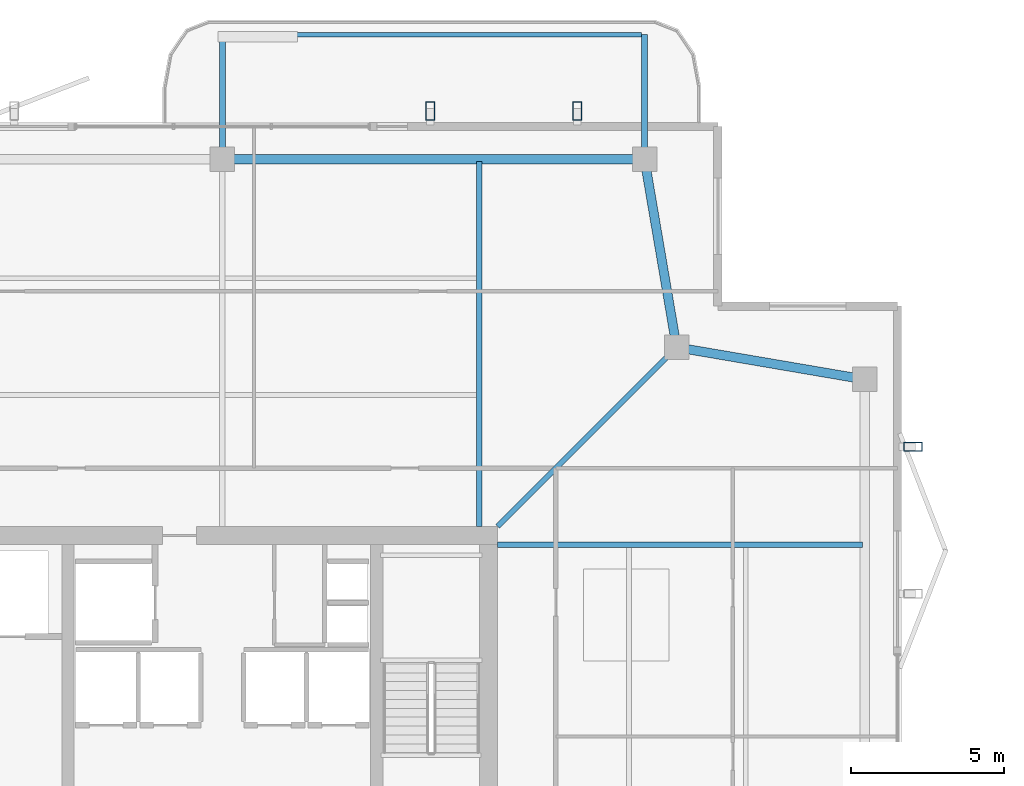
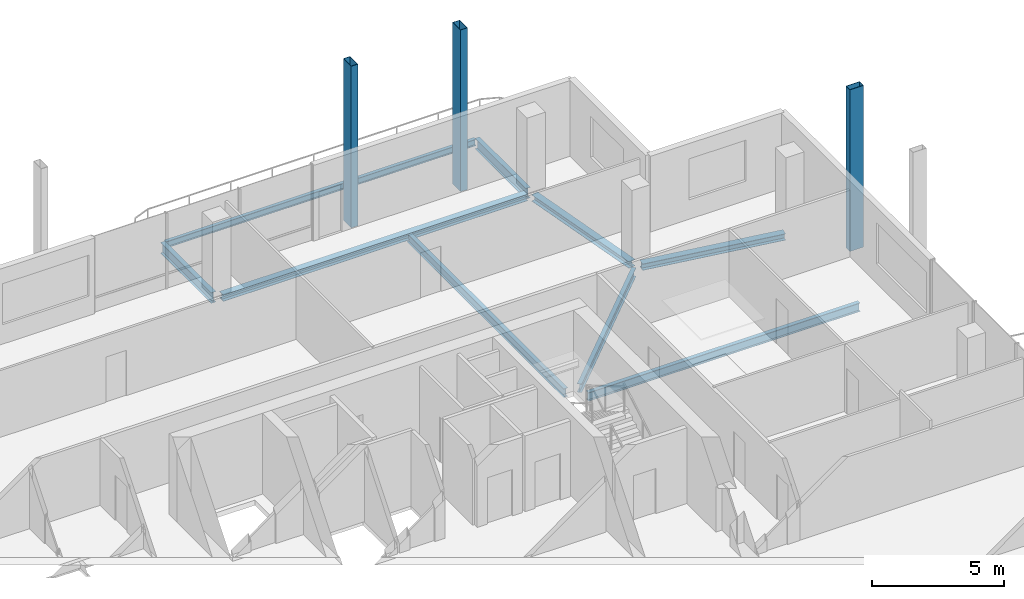
# One storey, part 14 of 22: 9 beams, 3 members.
"""IFC4 building model written with IfcOpenShell, lengths in metres."""

from ifc_helpers import new_model, si_unit, direction, frame, origin, origin_2d, place, context, subcontext, project, spatial, hollow_rectangle, i_section, extrude, material, material_profile, profile_set, type_object, element, save


model = new_model("IFC4")

# Units and contexts
model_context = context("Model", 3, precision=1e-05, world=origin(), true_north=direction((0.0, 1.0)))
body_context = subcontext(model_context, "Body", "Model", "MODEL_VIEW")
ifc_project = project(units=[si_unit("LENGTHUNIT", "METRE"), si_unit("AREAUNIT", "SQUARE_METRE"), si_unit("VOLUMEUNIT", "CUBIC_METRE"), si_unit("PLANEANGLEUNIT", "RADIAN"), si_unit("MASSUNIT", "GRAM", prefix="KILO")], contexts=[model_context])

# Site, building, storey
site_placement = place(None, origin())
site = spatial("IfcSite", under=ifc_project, at=site_placement, CompositionType="ELEMENT")
building_placement = place(site_placement, origin())
building = spatial("IfcBuilding", under=site, at=building_placement, Name="Belovzor Exchange Tower", CompositionType="ELEMENT")
storey_placement = place(building_placement, frame((0.0, 0.0, 336.75)))
storey = spatial("IfcBuildingStorey", under=building, at=storey_placement, Name="L84", CompositionType="ELEMENT", Elevation=336.75)

# Beams
ifc_material_1 = material(Name="Steel S355", Category="steel")
ifc_material_profile_1 = material_profile(ifc_material_1, i_section(OverallWidth=0.199951171875, OverallDepth=0.5, WebThickness=0.01025390625, FlangeThickness=0.01611328125, at=origin_2d()))
ifc_profile_set_1 = profile_set([ifc_material_profile_1], Name="Steel S355")
beam_type_1 = type_object("IfcBeamType", Name="Planted Balcony Cantilever Beam IPE 500", PredefinedType="BEAM", material=ifc_profile_set_1)
for number, where, z_axis, x_axis, name in (
    (1, (42.60009765625, 50.02001953125, -0.489990234375), (0.0, 1.0, 0.0), (-1.0, 0.0, 0.0), "BC-500 Planted Balcony Cantilever Beam IPE 500"),
    (2, (28.800048828125, 50.02001953125, -0.489990234375), (0.0, 1.0, 0.0), (-1.0, 0.0, 0.0), "BC-500 Planted Balcony Cantilever Beam IPE 500"),
):
    element("IfcBeam", number, at=place(storey_placement, frame(where, z_axis=z_axis, x_axis=x_axis)), inside=storey, type_object=beam_type_1, Name=name, PredefinedType="BEAM", context=body_context, shape_type="SweptSolid", body=[
        extrude(i_section(OverallWidth=0.199951171875, OverallDepth=0.5, WebThickness=0.01025390625, FlangeThickness=0.01611328125, at=origin_2d()), origin(), (0.0, 0.0, 1.0), 3.85009765625),
    ])
ifc_material_2 = material(Name="Steel S355", Category="steel")
ifc_material_profile_2 = material_profile(ifc_material_2, i_section(OverallWidth=0.14990234375, OverallDepth=0.300048828125, WebThickness=0.007080078125, FlangeThickness=0.0107421875, at=origin_2d()))
ifc_profile_set_2 = profile_set([ifc_material_profile_2], Name="Steel S355")
beam_type_2 = type_object("IfcBeamType", Name="Planted Balcony Fascia Edge Beam IPE 300", PredefinedType="BEAM", material=ifc_profile_set_2)
beam_1_placement = place(storey_placement, frame((42.5, 53.8701171875, -0.389892578125), z_axis=(-1.0, 0.0, 0.0), x_axis=(0.0, -1.0, 0.0)))
element("IfcBeam", 3, at=beam_1_placement, inside=storey, type_object=beam_type_2, Name="BC-300 Planted Balcony Fascia Edge Beam IPE 300", PredefinedType="BEAM", context=body_context, shape_type="SweptSolid", body=[
    extrude(i_section(OverallWidth=0.14990234375, OverallDepth=0.300048828125, WebThickness=0.007080078125, FlangeThickness=0.0107421875, at=origin_2d()), origin(), (0.0, 0.0, 1.0), 13.60009765625),
])

# Members
ifc_material_3 = material(Name="Extruded Architectural Terracotta on Steel S355 Carrier", Category="masonry")
ifc_material_profile_3 = material_profile(ifc_material_3, hollow_rectangle(XDim=0.300048828125, YDim=0.60009765625, WallThickness=0.01611328125, at=origin_2d()))
ifc_profile_set_3 = profile_set([ifc_material_profile_3], Name="Extruded Architectural Terracotta on Steel S355 Carrier")
member_type = type_object("IfcMemberType", Name="Upper Crown Terracotta Fin Assembly 550", PredefinedType="USERDEFINED", material=ifc_profile_set_3)
for number, where, z_axis, x_axis, name in (
    (4, (35.60009765625, 51.375, -0.239990234375), (0.0, 0.0, 1.0), (1.0, 0.0, 0.0), "FIN-TC055 Terracotta Facade Fin L84 N3"),
    (5, (40.39990234375, 51.375, -0.239990234375), (0.0, 0.0, 1.0), (1.0, 0.0, 0.0), "FIN-TC055 Terracotta Facade Fin L84 N4"),
    (6, (51.375, 40.39990234375, -0.239990234375), (0.0, 0.0, 1.0), (0.0, 1.0, 0.0), "FIN-TC055 Terracotta Facade Fin L84 E4"),
):
    element("IfcMember", number, at=place(storey_placement, frame(where, z_axis=z_axis, x_axis=x_axis)), inside=storey, type_object=member_type, Name=name, ObjectType="FIN", PredefinedType="USERDEFINED", context=body_context, shape_type="SweptSolid", body=[
        extrude(hollow_rectangle(XDim=0.300048828125, YDim=0.60009765625, WallThickness=0.01611328125, at=origin_2d()), origin(), (0.0, 0.0, 1.0), 7.5),
    ])

# Beams
ifc_material_4 = material(Name="Steel S355", Category="steel")
ifc_material_profile_4 = material_profile(ifc_material_4, i_section(OverallWidth=0.179931640625, OverallDepth=0.39990234375, WebThickness=0.008544921875, FlangeThickness=0.013427734375, at=origin_2d()))
ifc_profile_set_4 = profile_set([ifc_material_profile_4], Name="Steel S355")
beam_type_3 = type_object("IfcBeamType", Name="Zone 5-6 Radial Composite Floor Beam IPE 400", PredefinedType="BEAM", material=ifc_profile_set_4)
for number, where, z_axis, x_axis, name in (
    (7, (37.199951171875, 37.800048828125, -0.43994140625), (0.0, 1.0, 0.0), (-1.0, 0.0, 0.0), "FB-400 Zone 5-6 Radial Composite Floor Beam IPE 400"),
    (8, (37.800048828125, 37.199951171875, -0.43994140625), (1.0, 0.0, 0.0), (0.0, 1.0, 0.0), "FB-400 Zone 5-6 Radial Composite Floor Beam IPE 400"),
):
    element("IfcBeam", number, at=place(storey_placement, frame(where, z_axis=z_axis, x_axis=x_axis)), inside=storey, type_object=beam_type_3, Name=name, PredefinedType="BEAM", context=body_context, shape_type="SweptSolid", body=[
        extrude(i_section(OverallWidth=0.179931640625, OverallDepth=0.39990234375, WebThickness=0.008544921875, FlangeThickness=0.013427734375, at=origin_2d()), origin(), (0.0, 0.0, 1.0), 11.925048828125),
    ])
beam_2_placement = place(storey_placement, frame((37.800048828125, 37.800048828125, -0.43994140625), z_axis=(0.707106781187, 0.707106781187, 0.0), x_axis=(-0.707106781187, 0.707106781187, 0.0)))
element("IfcBeam", 9, at=beam_2_placement, inside=storey, type_object=beam_type_3, Name="FB-400 Zone 5-6 Radial Composite Floor Beam IPE 400", PredefinedType="BEAM", context=body_context, shape_type="SweptSolid", body=[
    extrude(i_section(OverallWidth=0.179931640625, OverallDepth=0.39990234375, WebThickness=0.008544921875, FlangeThickness=0.013427734375, at=origin_2d()), origin(), (0.0, 0.0, 1.0), 7.990234375),
])
ifc_material_5 = material(Name="Steel S355", Category="steel")
ifc_material_profile_5 = material_profile(ifc_material_5, i_section(OverallWidth=0.300048828125, OverallDepth=0.300048828125, WebThickness=0.008544921875, FlangeThickness=0.013916015625, at=origin_2d()))
ifc_profile_set_5 = profile_set([ifc_material_profile_5], Name="Steel S355")
beam_type_4 = type_object("IfcBeamType", Name="Zone 6 Primary Girder HEA 300", PredefinedType="BEAM", material=ifc_profile_set_5)
for number, where, z_axis, x_axis, name in (
    (10, (49.5830078125, 42.636962890625, -0.389892578125), (-0.98573182557, 0.168323403179, 0.0), (-0.168323403179, -0.98573182557, 0.0), "FG-Z6 Zone 6 Primary Girder HEA 300"),
    (11, (43.613037109375, 43.866943359375, -0.389892578125), (-0.168323403179, 0.98573182557, 0.0), (-0.98573182557, -0.168323403179, 0.0), "FG-Z6 Zone 6 Primary Girder HEA 300"),
):
    element("IfcBeam", number, at=place(storey_placement, frame(where, z_axis=z_axis, x_axis=x_axis)), inside=storey, type_object=beam_type_4, Name=name, PredefinedType="BEAM", context=body_context, shape_type="SweptSolid", body=[
        extrude(i_section(OverallWidth=0.300048828125, OverallDepth=0.300048828125, WebThickness=0.008544921875, FlangeThickness=0.013916015625, at=origin_2d()), origin(), (0.0, 0.0, 1.0), 5.798828125),
    ])
beam_3_placement = place(storey_placement, frame((42.3798828125, 49.800048828125, -0.389892578125), z_axis=(-1.0, 0.0, 0.0), x_axis=(0.0, -1.0, 0.0)))
element("IfcBeam", 12, at=beam_3_placement, inside=storey, type_object=beam_type_4, Name="FG-Z6 Zone 6 Primary Girder HEA 300", PredefinedType="BEAM", context=body_context, shape_type="SweptSolid", body=[
    extrude(i_section(OverallWidth=0.300048828125, OverallDepth=0.300048828125, WebThickness=0.008544921875, FlangeThickness=0.013916015625, at=origin_2d()), origin(), (0.0, 0.0, 1.0), 13.35986328125),
])

save(model, "model.ifc")
